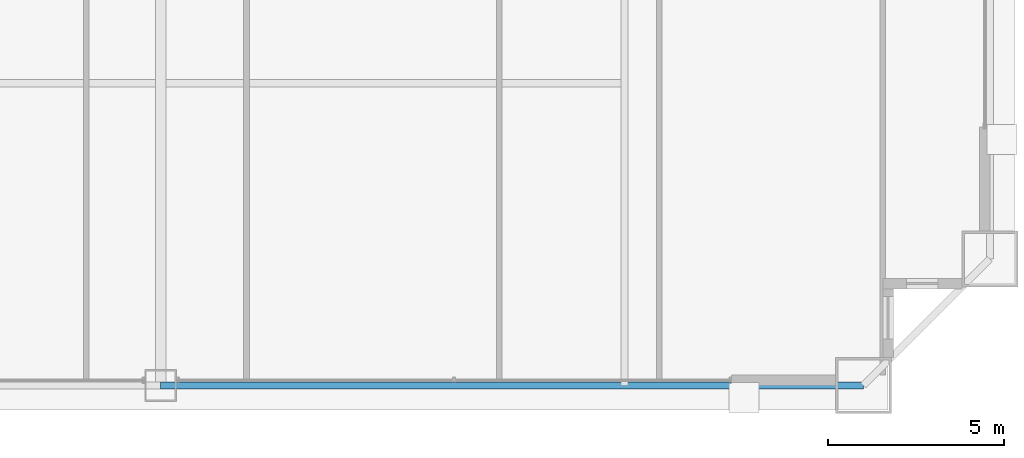
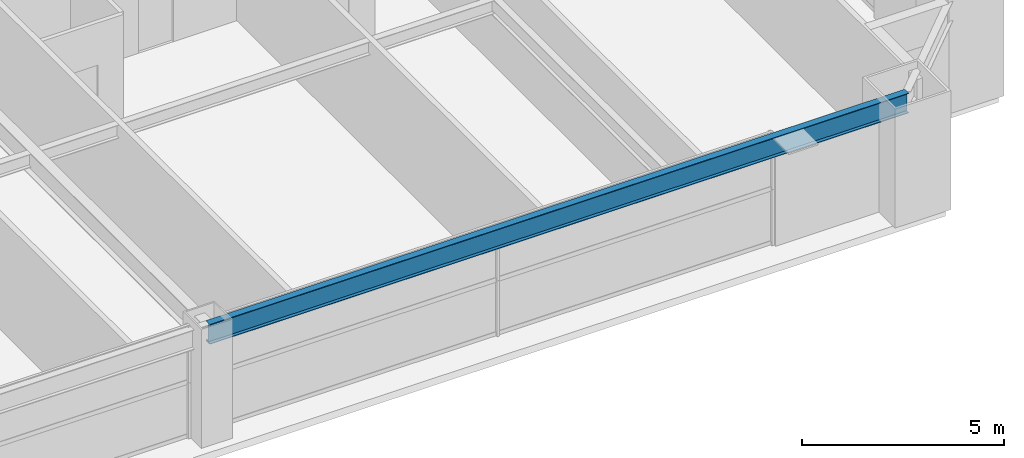
# One storey, part 14 of 38: 1 beam.
"""IFC4 building model written with IfcOpenShell, lengths in metres."""

from ifc_helpers import new_model, si_unit, direction, frame, origin, origin_2d, place, context, subcontext, project, spatial, i_section, extrude, source, transform, mapped, material, material_profile, profile_set, type_object, element, save


model = new_model("IFC4")

# Units and contexts
model_context = context("Model", 3, precision=1e-05, world=origin(), true_north=direction((0.0, 1.0)))
body_context = subcontext(model_context, "Body", "Model", "MODEL_VIEW")
ifc_project = project(units=[si_unit("LENGTHUNIT", "METRE"), si_unit("AREAUNIT", "SQUARE_METRE"), si_unit("VOLUMEUNIT", "CUBIC_METRE"), si_unit("PLANEANGLEUNIT", "RADIAN"), si_unit("MASSUNIT", "GRAM", prefix="KILO"), si_unit("THERMODYNAMICTEMPERATUREUNIT", "KELVIN"), si_unit("POWERUNIT", "WATT")], contexts=[model_context])

# Site, building, storey
site_placement = place(None, origin())
site = spatial("IfcSite", under=ifc_project, at=site_placement, CompositionType="ELEMENT")
building_placement = place(site_placement, origin())
building = spatial("IfcBuilding", under=site, at=building_placement, Name="Yuzanri Waterfront Tower", CompositionType="ELEMENT")
storey_placement = place(building_placement, frame((0.0, 0.0, 97.39990234375)))
storey = spatial("IfcBuildingStorey", under=building, at=storey_placement, Name="L25", CompositionType="ELEMENT", Elevation=97.39990234375)

# Beam
ifc_material = material(Name="Steel Q355B", Category="steel")
ifc_material_profile = material_profile(ifc_material, i_section(OverallWidth=0.199951171875, OverallDepth=0.60009765625, WebThickness=0.010986328125, FlangeThickness=0.01708984375, at=origin_2d()), Name="HN 600x200x11x17")
ifc_profile_set = profile_set([ifc_material_profile], Name="Steel Q355B")
beam_type = type_object("IfcBeamType", Name="Perimeter Spandrel Q355B HN 600x200", PredefinedType="SPANDREL", material=ifc_profile_set)
shared_shape = source(origin(), body_context, "Body", "SweptSolid", [
    extrude(i_section(OverallWidth=0.199951171875, OverallDepth=0.60009765625, WebThickness=0.010986328125, FlangeThickness=0.01708984375, at=origin_2d()), origin(), (0.0, 0.0, 1.0), 20.0),
])
beam_placement = place(storey_placement, frame((37.0, 2.199951171875, 3.080078125), z_axis=(1.0, 0.0, 0.0), x_axis=(0.0, 1.0, 0.0)))
element("IfcBeam", 1, at=beam_placement, inside=storey, type_object=beam_type, Name="L25 Perimeter Spandrel S2-S3", PredefinedType="SPANDREL", context=body_context, shape_type="MappedRepresentation", body=[
    mapped(shared_shape, transform((0.0, 0.0, 0.0), scale=1.0)),
])

save(model, "model.ifc")
